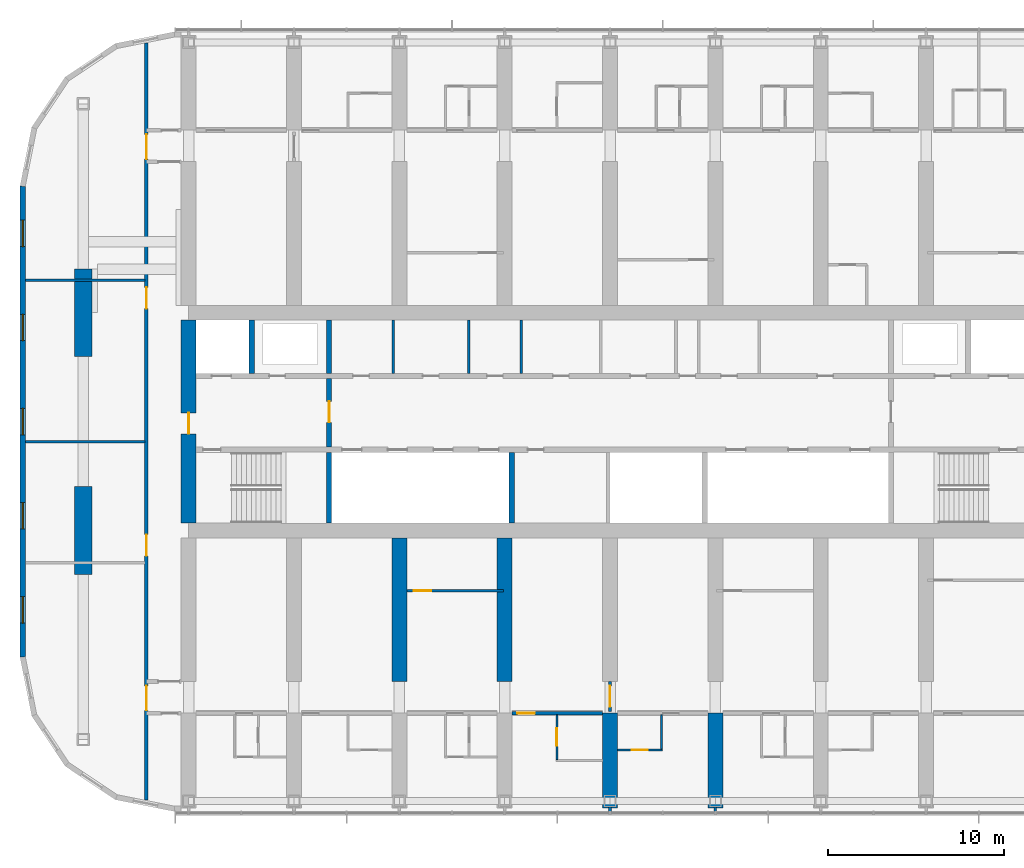
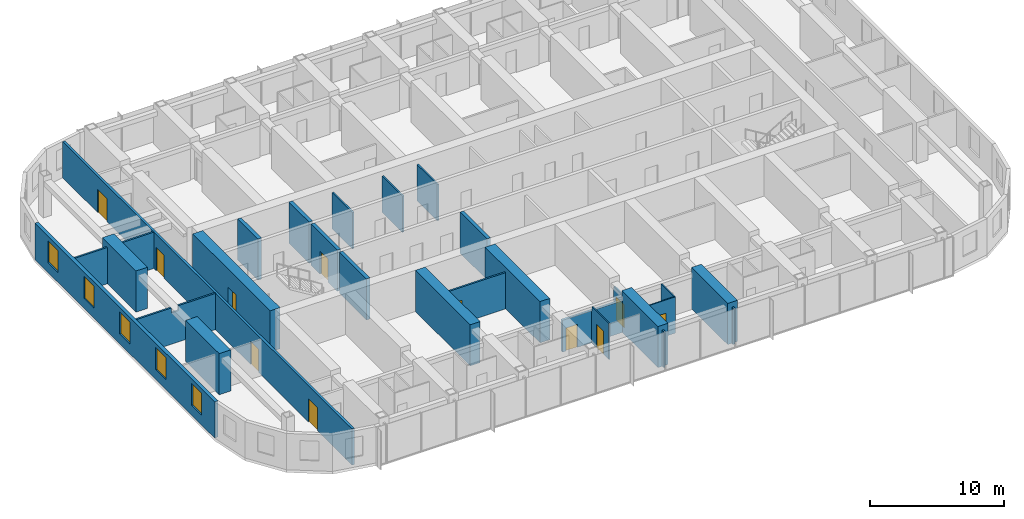
# One storey, part 11 of 22: 27 walls, 11 doors, 5 windows, 16 openings.
"""IFC4 building model written with IfcOpenShell, lengths in metres."""

from ifc_helpers import new_model, si_unit, direction, frame, frame_2d, origin, place, context, subcontext, project, spatial, polyline, rectangle, outline, extrude, material, layer, layer_set, type_object, element, fill, save


model = new_model("IFC4")

# Units and contexts
model_context = context("Model", 3, precision=1e-05, world=origin(), true_north=direction((0.0, 1.0)))
body_context = subcontext(model_context, "Body", "Model", "MODEL_VIEW")
ifc_project = project(units=[si_unit("LENGTHUNIT", "METRE"), si_unit("AREAUNIT", "SQUARE_METRE"), si_unit("VOLUMEUNIT", "CUBIC_METRE"), si_unit("PLANEANGLEUNIT", "RADIAN"), si_unit("MASSUNIT", "GRAM", prefix="KILO")], contexts=[model_context])

# Site, building, storey
site_placement = place(None, origin())
site = spatial("IfcSite", under=ifc_project, at=site_placement, CompositionType="ELEMENT")
building_placement = place(site_placement, origin())
building = spatial("IfcBuilding", under=site, at=building_placement, Name="Orbita Commons", CompositionType="ELEMENT")
storey_placement = place(building_placement, frame((0.0, 0.0, 159.85009765625)))
storey = spatial("IfcBuildingStorey", under=building, at=storey_placement, Name="L39", CompositionType="ELEMENT", Elevation=159.85009765625)

# Wall
ifc_material_1 = material(Name="Concrete C50/60", Category="concrete")
ifc_layer_1 = layer(ifc_material_1, 0.300048828125)
ifc_layer_set_1 = layer_set([ifc_layer_1], Name="Concrete C50/60")
wall_type_1 = type_object("IfcWallType", Name="Core inner wall 300 C50/60", PredefinedType="SHEAR", material=ifc_layer_set_1)
wall_1_placement = place(storey_placement, frame((26.0, 26.22509765625, 0.0), z_axis=(0.0, 0.0, 1.0), x_axis=(0.0, 1.0, 0.0)))
element("IfcWall", 1, at=wall_1_placement, inside=storey, type_object=wall_type_1, Name="Stair S1 wall L39", PredefinedType="SHEAR", context=body_context, shape_type="SweptSolid", body=[
    extrude(rectangle(XDim=4.02490234375, YDim=0.300048828125, at=frame_2d((2.012451171875, 0.0))), origin(), (0.0, 0.0, 1.0), 3.75),
])

# Wall, opening, door
wall_2_placement = place(storey_placement, frame((26.0, 30.550048828125, 0.0), z_axis=(0.0, 0.0, 1.0), x_axis=(0.0, 1.0, 0.0)))
wall_2 = element("IfcWall", 2, at=wall_2_placement, inside=storey, type_object=wall_type_1, Name="Firefighting lobby wall west L39", PredefinedType="SHEAR", context=body_context, shape_type="SweptSolid", body=[
    extrude(rectangle(XDim=3.89990234375, YDim=0.300048828125, at=frame_2d((1.949951171875, 0.0))), origin(), (0.0, 0.0, 1.0), 3.75),
])
opening_1_placement = place(wall_2_placement, frame((1.39990234375, 0.0, 0.0)))
opening_1 = element("IfcOpeningElement", 3, at=opening_1_placement, cuts=wall_2, Name="Opening D04", PredefinedType="OPENING", context=body_context, shape_type="SweptSolid", body=[
    extrude(rectangle(XDim=1.199951171875, YDim=2.10009765625, at=frame_2d((0.60009765625, 1.050048828125))), frame((0.0, 0.159912109375, 0.0), z_axis=(0.0, -1.0, 0.0), x_axis=(1.0, 0.0, 0.0)), (0.0, 0.0, 1.0), 0.320068359375),
])
ifc_material_2 = material(Name="Steel-faced fire door leaf", Category="steel")
door_type_1 = type_object("IfcDoorType", Name="Service door 20 min 1200x2100", OperationType="SINGLE_SWING_LEFT", PredefinedType="DOOR", material=ifc_material_2)
door_1_placement = place(opening_1_placement, origin())
door_1 = element("IfcDoor", 4, at=door_1_placement, inside=storey, type_object=door_type_1, Name="Lift lobby door west", OperationType="SINGLE_SWING_LEFT", OverallHeight=2.10009765625, OverallWidth=1.199951171875, PredefinedType="DOOR", context=body_context, shape_type="SweptSolid", body=[
    extrude(rectangle(XDim=1.199951171875, YDim=2.10009765625, at=frame_2d((0.60009765625, 1.050048828125))), frame((0.0, 0.02490234375, 0.0), z_axis=(0.0, -1.0, 0.0), x_axis=(1.0, 0.0, 0.0)), (0.0, 0.0, 1.0), 0.050048828125),
])
fill(opening_1, door_1)

# Walls
for number, where, z_axis, x_axis, name in (
    (5, (21.60009765625, 34.75, 0.0), (0.0, 0.0, 1.0), (0.0, 1.0, 0.0), "Firefighting lift FL1 shaft wall L39"),
    (6, (26.0, 34.75, 0.0), (0.0, 0.0, 1.0), (0.0, 1.0, 0.0), "Riser wall west L39"),
):
    element("IfcWall", number, at=place(storey_placement, frame(where, z_axis=z_axis, x_axis=x_axis)), inside=storey, type_object=wall_type_1, Name=name, PredefinedType="SHEAR", context=body_context, shape_type="SweptSolid", body=[
        extrude(rectangle(XDim=3.02490234375, YDim=0.300048828125, at=frame_2d((1.512451171875, 0.0))), origin(), (0.0, 0.0, 1.0), 3.75),
    ])
wall_3_placement = place(storey_placement, frame((36.39990234375, 26.22509765625, 0.0), z_axis=(0.0, 0.0, 1.0), x_axis=(0.0, 1.0, 0.0)))
element("IfcWall", 7, at=wall_3_placement, inside=storey, type_object=wall_type_1, Name="Hoistway division wall L39", PredefinedType="SHEAR", context=body_context, shape_type="SweptSolid", body=[
    extrude(rectangle(XDim=4.02490234375, YDim=0.300048828125, at=frame_2d((2.012451171875, 0.0))), origin(), (0.0, 0.0, 1.0), 3.75),
])
ifc_material_3 = material(Name="Concrete blockwork", Category="masonry")
ifc_layer_2 = layer(ifc_material_3, 0.14990234375)
ifc_layer_set_2 = layer_set([ifc_layer_2], Name="Concrete blockwork")
wall_type_2 = type_object("IfcWallType", Name="Core partition 150 blockwork", PredefinedType="SOLIDWALL", material=ifc_layer_set_2)
for number, where, z_axis, x_axis, name in (
    (8, (29.65087890625, 34.75, 0.0), (0.0, 0.0, 1.0), (0.0, 1.0, 0.0), "Core partition 150 blockwork L39"),
    (9, (33.9462890625, 34.75, 0.0), (0.0, 0.0, 1.0), (0.0, 1.0, 0.0), "Core partition 150 blockwork L39"),
    (10, (36.9462890625, 34.75, 0.0), (0.0, 0.0, 1.0), (0.0, 1.0, 0.0), "Core partition 150 blockwork L39"),
):
    element("IfcWall", number, at=place(storey_placement, frame(where, z_axis=z_axis, x_axis=x_axis)), inside=storey, type_object=wall_type_2, Name=name, PredefinedType="SOLIDWALL", context=body_context, shape_type="SweptSolid", body=[
        extrude(rectangle(XDim=3.02490234375, YDim=0.14990234375, at=frame_2d((1.512451171875, 0.0))), origin(), (0.0, 0.0, 1.0), 3.2998046875),
    ])

# Wall, opening, door
ifc_material_4 = material(Name="Concrete C50/60", Category="concrete")
ifc_layer_3 = layer(ifc_material_4, 0.85009765625)
ifc_layer_set_3 = layer_set([ifc_layer_3], Name="Concrete C50/60")
wall_type_3 = type_object("IfcWallType", Name="Core wall 850 C50/60", PredefinedType="SHEAR", material=ifc_layer_set_3)
wall_4_placement = place(storey_placement, frame((18.0, 26.22509765625, 0.0), z_axis=(0.0, 0.0, 1.0), x_axis=(0.0, 1.0, 0.0)))
wall_4 = element("IfcWall", 11, at=wall_4_placement, inside=storey, type_object=wall_type_3, Name="Core end wall west L39", PredefinedType="SHEAR", context=body_context, shape_type="SweptSolid", body=[
    extrude(rectangle(XDim=11.5498046875, YDim=0.85009765625, at=frame_2d((5.77490234375, 0.0))), origin(), (0.0, 0.0, 1.0), 3.75),
])
opening_2_placement = place(wall_4_placement, frame((5.074951171875, 0.0, 0.0)))
opening_2 = element("IfcOpeningElement", 12, at=opening_2_placement, cuts=wall_4, Name="Opening D01", PredefinedType="OPENING", context=body_context, shape_type="SweptSolid", body=[
    extrude(rectangle(XDim=1.199951171875, YDim=2.10009765625, at=frame_2d((0.60009765625, 1.050048828125))), frame((0.0, 0.43505859375, 0.0), z_axis=(0.0, -1.0, 0.0), x_axis=(1.0, 0.0, 0.0)), (0.0, 0.0, 1.0), 0.8701171875),
])
ifc_material_5 = material(Name="Steel-faced fire door leaf", Category="steel")
door_type_2 = type_object("IfcDoorType", Name="Fire door 90 min 1200x2100", OperationType="SINGLE_SWING_LEFT", PredefinedType="DOOR", material=ifc_material_5)
door_2_placement = place(opening_2_placement, origin())
door_2 = element("IfcDoor", 13, at=door_2_placement, inside=storey, type_object=door_type_2, Name="Firefighting lobby west door", OperationType="SINGLE_SWING_LEFT", OverallHeight=2.10009765625, OverallWidth=1.199951171875, PredefinedType="DOOR", context=body_context, shape_type="SweptSolid", body=[
    extrude(rectangle(XDim=1.199951171875, YDim=2.10009765625, at=frame_2d((0.60009765625, 1.050048828125))), frame((0.0, 0.02490234375, 0.0), z_axis=(0.0, -1.0, 0.0), x_axis=(1.0, 0.0, 0.0)), (0.0, 0.0, 1.0), 0.050048828125),
])
fill(opening_2, door_2)

ifc_material_6 = material(Name="Concrete blockwork", Category="masonry")
ifc_layer_4 = layer(ifc_material_6, 0.199951171875)
ifc_layer_set_4 = layer_set([ifc_layer_4], Name="Concrete blockwork")
wall_type_4 = type_object("IfcWallType", Name="Corridor wall 200 blockwork", PredefinedType="SOLIDWALL", material=ifc_layer_set_4)
wall_5_placement = place(storey_placement, frame((36.425048828125, 15.39990234375, 0.0), z_axis=(0.0, 0.0, 1.0), x_axis=(1.0, 0.0, 0.0)))
wall_5 = element("IfcWall", 14, at=wall_5_placement, inside=storey, type_object=wall_type_4, Name="Corridor wall 200 blockwork L39", PredefinedType="SOLIDWALL", context=body_context, shape_type="SweptSolid", body=[
    extrude(outline(polyline([(0.0, 0.0), (5.14990234375, 0.0), (5.14990234375, 2.89990234375), (0.0, 2.89990234375), (0.0, 0.0)])), frame((0.0, 0.10009765625, 0.0), z_axis=(0.0, -1.0, 0.0), x_axis=(1.0, 0.0, 0.0)), (0.0, 0.0, 1.0), 0.199951171875),
])
opening_3_placement = place(wall_5_placement, frame((0.300048828125, 0.0, 0.0)))
opening_3 = element("IfcOpeningElement", 15, at=opening_3_placement, cuts=wall_5, Name="Opening D06", PredefinedType="OPENING", context=body_context, shape_type="SweptSolid", body=[
    extrude(rectangle(XDim=1.0, YDim=2.10009765625, at=frame_2d((0.5, 1.050048828125))), frame((0.0, 0.10986328125, 0.0), z_axis=(0.0, -1.0, 0.0), x_axis=(1.0, 0.0, 0.0)), (0.0, 0.0, 1.0), 0.219970703125),
])
ifc_material_7 = material(Name="Steel-faced fire door leaf", Category="steel")
door_type_3 = type_object("IfcDoorType", Name="Corridor door 20 min 1000x2100", OperationType="SINGLE_SWING_LEFT", PredefinedType="DOOR", material=ifc_material_7)
door_3_placement = place(opening_3_placement, origin())
door_3 = element("IfcDoor", 16, at=door_3_placement, inside=storey, type_object=door_type_3, Name="Accessible bedroom L39-S06 door", OperationType="SINGLE_SWING_LEFT", OverallHeight=2.10009765625, OverallWidth=1.0, PredefinedType="DOOR", context=body_context, shape_type="SweptSolid", body=[
    extrude(rectangle(XDim=1.0, YDim=2.10009765625, at=frame_2d((0.5, 1.050048828125))), frame((0.0, 0.02490234375, 0.0), z_axis=(0.0, -1.0, 0.0), x_axis=(1.0, 0.0, 0.0)), (0.0, 0.0, 1.0), 0.050048828125),
])
fill(opening_3, door_3)

# Wall, openings, doors
wall_6_placement = place(storey_placement, frame((15.60009765625, 10.4462890625, 0.0), z_axis=(0.0, 0.0, 1.0), x_axis=(0.0, 1.0, 0.0)))
wall_6 = element("IfcWall", 17, at=wall_6_placement, inside=storey, type_object=wall_type_4, Name="Corridor wall 200 blockwork L39", PredefinedType="SOLIDWALL", context=body_context, shape_type="SweptSolid", body=[
    extrude(rectangle(XDim=43.107421875, YDim=0.199951171875, at=frame_2d((21.5537109375, 0.0))), origin(), (0.0, 0.0, 1.0), 3.2998046875),
])
opening_4_placement = place(wall_6_placement, frame((13.913818359375, 0.0, 0.0)))
opening_4 = element("IfcOpeningElement", 18, at=opening_4_placement, cuts=wall_6, Name="Opening D15", PredefinedType="OPENING", context=body_context, shape_type="SweptSolid", body=[
    extrude(rectangle(XDim=1.199951171875, YDim=2.10009765625, at=frame_2d((0.60009765625, 1.050048828125))), frame((0.0, 0.10986328125, 0.0), z_axis=(0.0, -1.0, 0.0), x_axis=(1.0, 0.0, 0.0)), (0.0, 0.0, 1.0), 0.219970703125),
])
opening_5_placement = place(wall_6_placement, frame((27.993896484375, 0.0, 0.0)))
opening_5 = element("IfcOpeningElement", 19, at=opening_5_placement, cuts=wall_6, Name="Opening D15", PredefinedType="OPENING", context=body_context, shape_type="SweptSolid", body=[
    extrude(rectangle(XDim=1.199951171875, YDim=2.10009765625, at=frame_2d((0.60009765625, 1.050048828125))), frame((0.0, 0.10986328125, 0.0), z_axis=(0.0, -1.0, 0.0), x_axis=(1.0, 0.0, 0.0)), (0.0, 0.0, 1.0), 0.219970703125),
])
opening_6_placement = place(wall_6_placement, frame((5.103759765625, 0.0, 0.0)))
opening_6 = element("IfcOpeningElement", 20, at=opening_6_placement, cuts=wall_6, Name="Opening D08", PredefinedType="OPENING", context=body_context, shape_type="SweptSolid", body=[
    extrude(rectangle(XDim=1.39990234375, YDim=2.10009765625, at=frame_2d((0.699951171875, 1.050048828125))), frame((0.0, 0.10986328125, 0.0), z_axis=(0.0, -1.0, 0.0), x_axis=(1.0, 0.0, 0.0)), (0.0, 0.0, 1.0), 0.219970703125),
])
opening_7_placement = place(wall_6_placement, frame((36.50390625, 0.0, 0.0)))
opening_7 = element("IfcOpeningElement", 21, at=opening_7_placement, cuts=wall_6, Name="Opening D08", PredefinedType="OPENING", context=body_context, shape_type="SweptSolid", body=[
    extrude(rectangle(XDim=1.39990234375, YDim=2.10009765625, at=frame_2d((0.699951171875, 1.050048828125))), frame((0.0, 0.10986328125, 0.0), z_axis=(0.0, -1.0, 0.0), x_axis=(1.0, 0.0, 0.0)), (0.0, 0.0, 1.0), 0.219970703125),
])
ifc_material_8 = material(Name="Steel-faced fire door leaf", Category="steel")
door_type_4 = type_object("IfcDoorType", Name="Corridor door 20 min 1200x2100", OperationType="SINGLE_SWING_LEFT", PredefinedType="DOOR", material=ifc_material_8)
door_4_placement = place(opening_4_placement, origin())
door_4 = element("IfcDoor", 22, at=door_4_placement, inside=storey, type_object=door_type_4, Name="Reading room door", OperationType="SINGLE_SWING_LEFT", OverallHeight=2.10009765625, OverallWidth=1.199951171875, PredefinedType="DOOR", context=body_context, shape_type="SweptSolid", body=[
    extrude(rectangle(XDim=1.199951171875, YDim=2.10009765625, at=frame_2d((0.60009765625, 1.050048828125))), frame((0.0, 0.02490234375, 0.0), z_axis=(0.0, -1.0, 0.0), x_axis=(1.0, 0.0, 0.0)), (0.0, 0.0, 1.0), 0.050048828125),
])
fill(opening_4, door_4)
door_5_placement = place(opening_5_placement, origin())
door_5 = element("IfcDoor", 23, at=door_5_placement, inside=storey, type_object=door_type_4, Name="Study hall door", OperationType="SINGLE_SWING_LEFT", OverallHeight=2.10009765625, OverallWidth=1.199951171875, PredefinedType="DOOR", context=body_context, shape_type="SweptSolid", body=[
    extrude(rectangle(XDim=1.199951171875, YDim=2.10009765625, at=frame_2d((0.60009765625, 1.050048828125))), frame((0.0, 0.02490234375, 0.0), z_axis=(0.0, -1.0, 0.0), x_axis=(1.0, 0.0, 0.0)), (0.0, 0.0, 1.0), 0.050048828125),
])
fill(opening_5, door_5)
ifc_material_9 = material(Name="Steel-faced fire door leaf", Category="steel")
door_type_5 = type_object("IfcDoorType", Name="Double corridor door 20 min 1400x2100", OperationType="DOUBLE_DOOR_SINGLE_SWING", PredefinedType="DOOR", material=ifc_material_9)
door_6_placement = place(opening_6_placement, origin())
door_6 = element("IfcDoor", 24, at=door_6_placement, inside=storey, type_object=door_type_5, Name="Lounge doors", OperationType="DOUBLE_DOOR_SINGLE_SWING", OverallHeight=2.10009765625, OverallWidth=1.39990234375, PredefinedType="DOOR", context=body_context, shape_type="SweptSolid", body=[
    extrude(rectangle(XDim=1.39990234375, YDim=2.10009765625, at=frame_2d((0.699951171875, 1.050048828125))), frame((0.0, 0.02490234375, 0.0), z_axis=(0.0, -1.0, 0.0), x_axis=(1.0, 0.0, 0.0)), (0.0, 0.0, 1.0), 0.050048828125),
])
fill(opening_6, door_6)
door_7_placement = place(opening_7_placement, origin())
door_7 = element("IfcDoor", 25, at=door_7_placement, inside=storey, type_object=door_type_5, Name="Lounge doors", OperationType="DOUBLE_DOOR_SINGLE_SWING", OverallHeight=2.10009765625, OverallWidth=1.39990234375, PredefinedType="DOOR", context=body_context, shape_type="SweptSolid", body=[
    extrude(rectangle(XDim=1.39990234375, YDim=2.10009765625, at=frame_2d((0.699951171875, 1.050048828125))), frame((0.0, 0.02490234375, 0.0), z_axis=(0.0, -1.0, 0.0), x_axis=(1.0, 0.0, 0.0)), (0.0, 0.0, 1.0), 0.050048828125),
])
fill(opening_7, door_7)

# Walls
ifc_material_10 = material(Name="Concrete C50/60", Category="concrete")
ifc_layer_5 = layer(ifc_material_10, 0.85009765625)
ifc_layer_set_5 = layer_set([ifc_layer_5], Name="Concrete C50/60")
wall_type_5 = type_object("IfcWallType", Name="Cross wall 850 C50/60", PredefinedType="SHEAR", material=ifc_layer_set_5)
for number, where, z_axis, x_axis, name in (
    (26, (30.0, 17.199951171875, 0.0), (0.0, 0.0, 1.0), (0.0, 1.0, 0.0), "Cross wall 6 south inner L39"),
    (27, (36.0, 17.199951171875, 0.0), (0.0, 0.0, 1.0), (0.0, 1.0, 0.0), "Cross wall 7 south inner L39"),
):
    element("IfcWall", number, at=place(storey_placement, frame(where, z_axis=z_axis, x_axis=x_axis)), inside=storey, type_object=wall_type_5, Name=name, PredefinedType="SHEAR", context=body_context, shape_type="SweptSolid", body=[
        extrude(rectangle(XDim=8.175048828125, YDim=0.85009765625, at=frame_2d((4.08740234375, 0.0))), origin(), (0.0, 0.0, 1.0), 3.75),
    ])
for number, where, z_axis, x_axis, name in (
    (28, (42.0, 10.0, 0.0), (0.0, 0.0, 1.0), (0.0, 1.0, 0.0), "Cross wall 8 south outer L39"),
    (29, (48.0, 10.0, 0.0), (0.0, 0.0, 1.0), (0.0, 1.0, 0.0), "Cross wall 9 south outer L39"),
):
    element("IfcWall", number, at=place(storey_placement, frame(where, z_axis=z_axis, x_axis=x_axis)), inside=storey, type_object=wall_type_5, Name=name, PredefinedType="SHEAR", context=body_context, shape_type="SweptSolid", body=[
        extrude(rectangle(XDim=5.39990234375, YDim=0.85009765625, at=frame_2d((2.699951171875, 0.0))), origin(), (0.0, 0.0, 1.0), 3.75),
    ])

# Wall, opening, door
ifc_material_11 = material(Name="Moisture-resistant plasterboard on steel studs", Category="steel")
ifc_layer_6 = layer(ifc_material_11, 0.10009765625)
ifc_layer_set_6 = layer_set([ifc_layer_6], Name="Moisture-resistant plasterboard on steel studs")
wall_type_6 = type_object("IfcWallType", Name="En-suite partition 100", PredefinedType="PARTITIONING", material=ifc_layer_set_6)
wall_7_placement = place(storey_placement, frame((38.97509765625, 12.75, 0.0), z_axis=(0.0, 0.0, 1.0), x_axis=(0.0, 1.0, 0.0)))
wall_7 = element("IfcWall", 30, at=wall_7_placement, inside=storey, type_object=wall_type_6, Name="En-suite partition 100 L39", PredefinedType="PARTITIONING", context=body_context, shape_type="SweptSolid", body=[
    extrude(outline(polyline([(0.0, 0.0), (2.550048828125, 0.0), (2.550048828125, 2.89990234375), (2.501953125, 2.89990234375), (2.5, 3.2998046875), (0.0, 3.2998046875), (0.0, 0.0)])), frame((0.0, 0.050048828125, 0.0), z_axis=(0.0, -1.0, 0.0), x_axis=(1.0, 0.0, 0.0)), (0.0, 0.0, 1.0), 0.10009765625),
])
opening_8_placement = place(wall_7_placement, frame((0.800048828125, 0.0, 0.0)))
opening_8 = element("IfcOpeningElement", 31, at=opening_8_placement, cuts=wall_7, Name="Opening D13", PredefinedType="OPENING", context=body_context, shape_type="SweptSolid", body=[
    extrude(rectangle(XDim=1.0, YDim=2.10009765625, at=frame_2d((0.5, 1.050048828125))), frame((0.0, 0.06005859375, 0.0), z_axis=(0.0, -1.0, 0.0), x_axis=(1.0, 0.0, 0.0)), (0.0, 0.0, 1.0), 0.1201171875),
])
ifc_material_12 = material(Name="Laminated timber door leaf", Category="wood")
door_type_6 = type_object("IfcDoorType", Name="En-suite door 1000x2100", OperationType="SINGLE_SWING_RIGHT", PredefinedType="DOOR", material=ifc_material_12)
door_8_placement = place(opening_8_placement, origin())
door_8 = element("IfcDoor", 32, at=door_8_placement, inside=storey, type_object=door_type_6, Name="Accessible shower room L39-S06 door", OperationType="SINGLE_SWING_RIGHT", OverallHeight=2.10009765625, OverallWidth=1.0, PredefinedType="DOOR", context=body_context, shape_type="SweptSolid", body=[
    extrude(rectangle(XDim=1.0, YDim=2.10009765625, at=frame_2d((0.5, 1.050048828125))), frame((0.0, 0.02490234375, 0.0), z_axis=(0.0, -1.0, 0.0), x_axis=(1.0, 0.0, 0.0)), (0.0, 0.0, 1.0), 0.050048828125),
])
fill(opening_8, door_8)

wall_8_placement = place(storey_placement, frame((44.97509765625, 13.300048828125, 0.0), z_axis=(0.0, 0.0, 1.0), x_axis=(-1.0, 0.0, 0.0)))
wall_8 = element("IfcWall", 33, at=wall_8_placement, inside=storey, type_object=wall_type_6, Name="En-suite partition 100 L39", PredefinedType="PARTITIONING", context=body_context, shape_type="SweptSolid", body=[
    extrude(rectangle(XDim=2.550048828125, YDim=0.10009765625, at=frame_2d((1.27490234375, 0.0))), origin(), (0.0, 0.0, 1.0), 3.2998046875),
])
opening_9_placement = place(wall_8_placement, frame((0.824951171875, 0.0, 0.0)))
opening_9 = element("IfcOpeningElement", 34, at=opening_9_placement, cuts=wall_8, Name="Opening D09", PredefinedType="OPENING", context=body_context, shape_type="SweptSolid", body=[
    extrude(rectangle(XDim=0.89990234375, YDim=2.10009765625, at=frame_2d((0.449951171875, 1.050048828125))), frame((0.0, 0.06005859375, 0.0), z_axis=(0.0, -1.0, 0.0), x_axis=(1.0, 0.0, 0.0)), (0.0, 0.0, 1.0), 0.1201171875),
])
ifc_material_13 = material(Name="Laminated timber door leaf", Category="wood")
door_type_7 = type_object("IfcDoorType", Name="En-suite door 900x2100", OperationType="SINGLE_SWING_RIGHT", PredefinedType="DOOR", material=ifc_material_13)
door_9_placement = place(opening_9_placement, origin())
door_9 = element("IfcDoor", 35, at=door_9_placement, inside=storey, type_object=door_type_7, Name="En-suite L39-S08 door", OperationType="SINGLE_SWING_RIGHT", OverallHeight=2.10009765625, OverallWidth=0.89990234375, PredefinedType="DOOR", context=body_context, shape_type="SweptSolid", body=[
    extrude(rectangle(XDim=0.89990234375, YDim=2.10009765625, at=frame_2d((0.449951171875, 1.050048828125))), frame((0.0, 0.02490234375, 0.0), z_axis=(0.0, -1.0, 0.0), x_axis=(1.0, 0.0, 0.0)), (0.0, 0.0, 1.0), 0.050048828125),
])
fill(opening_9, door_9)

# Walls
wall_9_placement = place(storey_placement, frame((44.925048828125, 13.35009765625, 0.0), z_axis=(0.0, 0.0, 1.0), x_axis=(0.0, 1.0, 0.0)))
element("IfcWall", 36, at=wall_9_placement, inside=storey, type_object=wall_type_6, Name="En-suite partition 100 L39", PredefinedType="PARTITIONING", context=body_context, shape_type="SweptSolid", body=[
    extrude(outline(polyline([(0.0, 0.0), (1.949951171875, 0.0), (1.949951171875, 2.89990234375), (1.902099609375, 2.89990234375), (1.89990234375, 3.2998046875), (0.0, 3.2998046875), (0.0, 0.0)])), frame((0.0, 0.050048828125, 0.0), z_axis=(0.0, -1.0, 0.0), x_axis=(1.0, 0.0, 0.0)), (0.0, 0.0, 1.0), 0.10009765625),
])
ifc_material_14 = material(Name="Concrete C50/60", Category="concrete")
ifc_layer_7 = layer(ifc_material_14, 1.0)
ifc_layer_set_7 = layer_set([ifc_layer_7], Name="Concrete C50/60")
wall_type_7 = type_object("IfcWallType", Name="End pier 1000x5000 C50/60", PredefinedType="SHEAR", material=ifc_layer_set_7)
for number, where, z_axis, x_axis, name in (
    (37, (12.0, 23.300048828125, 0.0), (0.0, 0.0, 1.0), (0.0, 1.0, 0.0), "End pier 3/C L39"),
    (38, (12.0, 35.699951171875, 0.0), (0.0, 0.0, 1.0), (0.0, 1.0, 0.0), "End pier 3/D L39"),
):
    element("IfcWall", number, at=place(storey_placement, frame(where, z_axis=z_axis, x_axis=x_axis)), inside=storey, type_object=wall_type_7, Name=name, PredefinedType="SHEAR", context=body_context, shape_type="SweptSolid", body=[
        extrude(rectangle(XDim=5.0, YDim=1.0, at=frame_2d((2.5, 0.0))), origin(), (0.0, 0.0, 1.0), 3.75),
    ])

# Wall, opening, door
ifc_material_15 = material(Name="Gypsum plasterboard on steel studs", Category="steel")
ifc_layer_8 = layer(ifc_material_15, 0.14990234375)
ifc_layer_set_8 = layer_set([ifc_layer_8], Name="Gypsum plasterboard on steel studs")
wall_type_8 = type_object("IfcWallType", Name="Partition 150 plasterboard", PredefinedType="PARTITIONING", material=ifc_layer_set_8)
wall_10_placement = place(storey_placement, frame((30.425048828125, 22.375, 0.0), z_axis=(0.0, 0.0, 1.0), x_axis=(1.0, 0.0, 0.0)))
wall_10 = element("IfcWall", 39, at=wall_10_placement, inside=storey, type_object=wall_type_8, Name="Partition 150 plasterboard L39", PredefinedType="PARTITIONING", context=body_context, shape_type="SweptSolid", body=[
    extrude(rectangle(XDim=5.5, YDim=0.14990234375, at=frame_2d((2.75, 0.0))), origin(), (0.0, 0.0, 1.0), 3.2998046875),
])
opening_10_placement = place(wall_10_placement, frame((0.39990234375, 0.0, 0.0)))
opening_10 = element("IfcOpeningElement", 40, at=opening_10_placement, cuts=wall_10, Name="Opening D17", PredefinedType="OPENING", context=body_context, shape_type="SweptSolid", body=[
    extrude(rectangle(XDim=1.0, YDim=2.10009765625, at=frame_2d((0.5, 1.050048828125))), frame((0.0, 0.0849609375, 0.0), z_axis=(0.0, -1.0, 0.0), x_axis=(1.0, 0.0, 0.0)), (0.0, 0.0, 1.0), 0.169921875),
])
ifc_material_16 = material(Name="Steel-faced fire door leaf", Category="steel")
door_type_8 = type_object("IfcDoorType", Name="Shaft access door 90 min 1000x2100", OperationType="SINGLE_SWING_LEFT", PredefinedType="DOOR", material=ifc_material_16)
door_10_placement = place(opening_10_placement, origin())
door_10 = element("IfcDoor", 41, at=door_10_placement, inside=storey, type_object=door_type_8, Name="Ventilation plant room south L39-BDS30 door", OperationType="SINGLE_SWING_LEFT", OverallHeight=2.10009765625, OverallWidth=1.0, PredefinedType="DOOR", context=body_context, shape_type="SweptSolid", body=[
    extrude(rectangle(XDim=1.0, YDim=2.10009765625, at=frame_2d((0.5, 1.050048828125))), frame((0.0, 0.02490234375, 0.0), z_axis=(0.0, -1.0, 0.0), x_axis=(1.0, 0.0, 0.0)), (0.0, 0.0, 1.0), 0.050048828125),
])
fill(opening_10, door_10)

wall_11_placement = place(storey_placement, frame((42.0, 15.5, 0.0), z_axis=(0.0, 0.0, 1.0), x_axis=(0.0, 1.0, 0.0)))
wall_11 = element("IfcWall", 42, at=wall_11_placement, inside=storey, type_object=wall_type_8, Name="Partition 150 plasterboard L39", PredefinedType="PARTITIONING", context=body_context, shape_type="SweptSolid", body=[
    extrude(outline(polyline([(0.0, 0.0), (1.699951171875, 0.0), (1.699951171875, 2.89990234375), (0.0, 2.89990234375), (0.0, 0.0)])), frame((0.0, 0.074951171875, 0.0), z_axis=(0.0, -1.0, 0.0), x_axis=(1.0, 0.0, 0.0)), (0.0, 0.0, 1.0), 0.14990234375),
])
opening_11_placement = place(wall_11_placement, frame((0.25, 0.0, 0.0)))
opening_11 = element("IfcOpeningElement", 43, at=opening_11_placement, cuts=wall_11, Name="Opening D12", PredefinedType="OPENING", context=body_context, shape_type="SweptSolid", body=[
    extrude(rectangle(XDim=1.199951171875, YDim=2.10009765625, at=frame_2d((0.60009765625, 1.050048828125))), frame((0.0, 0.0849609375, 0.0), z_axis=(0.0, -1.0, 0.0), x_axis=(1.0, 0.0, 0.0)), (0.0, 0.0, 1.0), 0.169921875),
])
ifc_material_17 = material(Name="Steel-faced fire door leaf", Category="steel")
door_type_9 = type_object("IfcDoorType", Name="Double corridor door 20 min 1200x2100", OperationType="DOUBLE_DOOR_SINGLE_SWING", PredefinedType="DOOR", material=ifc_material_17)
door_11_placement = place(opening_11_placement, origin())
door_11 = element("IfcDoor", 44, at=door_11_placement, inside=storey, type_object=door_type_9, Name="Social spine south screen doors", OperationType="DOUBLE_DOOR_SINGLE_SWING", OverallHeight=2.10009765625, OverallWidth=1.199951171875, PredefinedType="DOOR", context=body_context, shape_type="SweptSolid", body=[
    extrude(rectangle(XDim=1.199951171875, YDim=2.10009765625, at=frame_2d((0.60009765625, 1.050048828125))), frame((0.0, 0.02490234375, 0.0), z_axis=(0.0, -1.0, 0.0), x_axis=(1.0, 0.0, 0.0)), (0.0, 0.0, 1.0), 0.050048828125),
])
fill(opening_11, door_11)

# Walls
wall_12_placement = place(storey_placement, frame((8.705078125, 30.85009765625, 0.0), z_axis=(0.0, 0.0, 1.0), x_axis=(1.0, 0.0, 0.0)))
element("IfcWall", 45, at=wall_12_placement, inside=storey, type_object=wall_type_8, Name="Partition 150 plasterboard L39", PredefinedType="PARTITIONING", context=body_context, shape_type="SweptSolid", body=[
    extrude(outline(polyline([(0.0, 0.0), (6.81982421875, 0.0), (6.820068359375, 3.2998046875), (3.596923828125, 3.2998046875), (3.594970703125, 2.849853515625), (2.9970703125, 2.849853515625), (2.9951171875, 3.2998046875), (0.0, 3.2998046875), (0.0, 0.0)])), frame((0.0, 0.074951171875, 0.0), z_axis=(0.0, -1.0, 0.0), x_axis=(1.0, 0.0, 0.0)), (0.0, 0.0, 1.0), 0.14990234375),
])
wall_13_placement = place(storey_placement, frame((8.705078125, 40.0400390625, 0.0), z_axis=(0.0, 0.0, 1.0), x_axis=(1.0, 0.0, 0.0)))
element("IfcWall", 46, at=wall_13_placement, inside=storey, type_object=wall_type_8, Name="Partition 150 plasterboard L39", PredefinedType="PARTITIONING", context=body_context, shape_type="SweptSolid", body=[
    extrude(rectangle(XDim=6.81982421875, YDim=0.14990234375, at=frame_2d((3.409912109375, 0.0))), origin(), (0.0, 0.0, 1.0), 3.2998046875),
])
for number, where, z_axis, x_axis, name in (
    (47, (42.0, 10.050048828125, 0.0), (0.0, 0.0, 1.0), (0.0, -1.0, 0.0), "Partition 150 plasterboard L39"),
    (48, (48.0, 10.050048828125, 0.0), (0.0, 0.0, 1.0), (0.0, -1.0, 0.0), "Partition 150 plasterboard L39"),
):
    element("IfcWall", number, at=place(storey_placement, frame(where, z_axis=z_axis, x_axis=x_axis)), inside=storey, type_object=wall_type_8, Name=name, PredefinedType="PARTITIONING", context=body_context, shape_type="SweptSolid", body=[
        extrude(rectangle(XDim=0.239990234375, YDim=0.14990234375, at=frame_2d((0.1201171875, 0.0))), origin(), (0.0, 0.0, 1.0), 3.2998046875),
    ])

# Wall, openings, windows
ifc_material_18 = material(Name="Precast concrete C40/50, white board-marked finish", Category="concrete")
ifc_layer_9 = layer(ifc_material_18, 0.300048828125)
ifc_layer_set_9 = layer_set([ifc_layer_9], Name="Precast concrete C40/50, white board-marked finish")
wall_type_9 = type_object("IfcWallType", Name="Precast concrete end shield 300", PredefinedType="SOLIDWALL", material=ifc_layer_set_9)
wall_14_placement = place(storey_placement, frame((8.550048828125, 45.39990234375, 0.0), z_axis=(0.0, 0.0, 1.0), x_axis=(0.0, -1.0, 0.0)))
wall_14 = element("IfcWall", 49, at=wall_14_placement, inside=storey, type_object=wall_type_9, Name="End shield W L39", PredefinedType="SOLIDWALL", context=body_context, shape_type="SweptSolid", body=[
    extrude(outline(polyline([(-0.014892578125, -0.14990234375), (26.814697265625, -0.14990234375), (26.784912109375, 0.14990234375), (0.014892578125, 0.14990234375), (-0.014892578125, -0.14990234375)])), origin(), (0.0, 0.0, 1.0), 3.2998046875),
])
opening_12_placement = place(wall_14_placement, frame((1.929931640625, 0.0, 0.89990234375)))
opening_12 = element("IfcOpeningElement", 50, at=opening_12_placement, cuts=wall_14, Name="Opening W01", PredefinedType="OPENING", context=body_context, shape_type="SweptSolid", body=[
    extrude(rectangle(XDim=1.5, YDim=2.0, at=frame_2d((0.75, 1.0))), frame((0.0, 0.159912109375, 0.0), z_axis=(0.0, -1.0, 0.0), x_axis=(1.0, 0.0, 0.0)), (0.0, 0.0, 1.0), 0.320068359375),
])
opening_13_placement = place(wall_14_placement, frame((7.2900390625, 0.0, 0.89990234375)))
opening_13 = element("IfcOpeningElement", 51, at=opening_13_placement, cuts=wall_14, Name="Opening W01", PredefinedType="OPENING", context=body_context, shape_type="SweptSolid", body=[
    extrude(rectangle(XDim=1.5, YDim=2.0, at=frame_2d((0.75, 1.0))), frame((0.0, 0.159912109375, 0.0), z_axis=(0.0, -1.0, 0.0), x_axis=(1.0, 0.0, 0.0)), (0.0, 0.0, 1.0), 0.320068359375),
])
opening_14_placement = place(wall_14_placement, frame((12.64990234375, 0.0, 0.89990234375)))
opening_14 = element("IfcOpeningElement", 52, at=opening_14_placement, cuts=wall_14, Name="Opening W01", PredefinedType="OPENING", context=body_context, shape_type="SweptSolid", body=[
    extrude(rectangle(XDim=1.5, YDim=2.0, at=frame_2d((0.75, 1.0))), frame((0.0, 0.159912109375, 0.0), z_axis=(0.0, -1.0, 0.0), x_axis=(1.0, 0.0, 0.0)), (0.0, 0.0, 1.0), 0.320068359375),
])
opening_15_placement = place(wall_14_placement, frame((18.010009765625, 0.0, 0.89990234375)))
opening_15 = element("IfcOpeningElement", 53, at=opening_15_placement, cuts=wall_14, Name="Opening W01", PredefinedType="OPENING", context=body_context, shape_type="SweptSolid", body=[
    extrude(rectangle(XDim=1.5, YDim=2.0, at=frame_2d((0.75, 1.0))), frame((0.0, 0.159912109375, 0.0), z_axis=(0.0, -1.0, 0.0), x_axis=(1.0, 0.0, 0.0)), (0.0, 0.0, 1.0), 0.320068359375),
])
opening_16_placement = place(wall_14_placement, frame((23.3701171875, 0.0, 0.89990234375)))
opening_16 = element("IfcOpeningElement", 54, at=opening_16_placement, cuts=wall_14, Name="Opening W01", PredefinedType="OPENING", context=body_context, shape_type="SweptSolid", body=[
    extrude(rectangle(XDim=1.5, YDim=2.0, at=frame_2d((0.75, 1.0))), frame((0.0, 0.159912109375, 0.0), z_axis=(0.0, -1.0, 0.0), x_axis=(1.0, 0.0, 0.0)), (0.0, 0.0, 1.0), 0.320068359375),
])
ifc_material_19 = material(Name="Aluminium frame, clear double glazing", Category="aluminium")
window_type = type_object("IfcWindowType", Name="Deep-set window 1500x2000", PartitioningType="SINGLE_PANEL", PredefinedType="WINDOW", material=ifc_material_19)
window_1_placement = place(opening_12_placement, origin())
window_1 = element("IfcWindow", 55, at=window_1_placement, inside=storey, type_object=window_type, Name="Window L39-W 1", OverallHeight=2.0, OverallWidth=1.5, PartitioningType="SINGLE_PANEL", PredefinedType="WINDOW", context=body_context, shape_type="SweptSolid", body=[
    extrude(rectangle(XDim=1.5, YDim=2.0, at=frame_2d((0.75, 1.0))), frame((0.0, 0.030029296875, 0.0), z_axis=(0.0, -1.0, 0.0), x_axis=(1.0, 0.0, 0.0)), (0.0, 0.0, 1.0), 0.06005859375),
])
fill(opening_12, window_1)
window_2_placement = place(opening_13_placement, origin())
window_2 = element("IfcWindow", 56, at=window_2_placement, inside=storey, type_object=window_type, Name="Window L39-W 2", OverallHeight=2.0, OverallWidth=1.5, PartitioningType="SINGLE_PANEL", PredefinedType="WINDOW", context=body_context, shape_type="SweptSolid", body=[
    extrude(rectangle(XDim=1.5, YDim=2.0, at=frame_2d((0.75, 1.0))), frame((0.0, 0.030029296875, 0.0), z_axis=(0.0, -1.0, 0.0), x_axis=(1.0, 0.0, 0.0)), (0.0, 0.0, 1.0), 0.06005859375),
])
fill(opening_13, window_2)
window_3_placement = place(opening_14_placement, origin())
window_3 = element("IfcWindow", 57, at=window_3_placement, inside=storey, type_object=window_type, Name="Window L39-W 3", OverallHeight=2.0, OverallWidth=1.5, PartitioningType="SINGLE_PANEL", PredefinedType="WINDOW", context=body_context, shape_type="SweptSolid", body=[
    extrude(rectangle(XDim=1.5, YDim=2.0, at=frame_2d((0.75, 1.0))), frame((0.0, 0.030029296875, 0.0), z_axis=(0.0, -1.0, 0.0), x_axis=(1.0, 0.0, 0.0)), (0.0, 0.0, 1.0), 0.06005859375),
])
fill(opening_14, window_3)
window_4_placement = place(opening_15_placement, origin())
window_4 = element("IfcWindow", 58, at=window_4_placement, inside=storey, type_object=window_type, Name="Window L39-W 4", OverallHeight=2.0, OverallWidth=1.5, PartitioningType="SINGLE_PANEL", PredefinedType="WINDOW", context=body_context, shape_type="SweptSolid", body=[
    extrude(rectangle(XDim=1.5, YDim=2.0, at=frame_2d((0.75, 1.0))), frame((0.0, 0.030029296875, 0.0), z_axis=(0.0, -1.0, 0.0), x_axis=(1.0, 0.0, 0.0)), (0.0, 0.0, 1.0), 0.06005859375),
])
fill(opening_15, window_4)
window_5_placement = place(opening_16_placement, origin())
window_5 = element("IfcWindow", 59, at=window_5_placement, inside=storey, type_object=window_type, Name="Window L39-W 5", OverallHeight=2.0, OverallWidth=1.5, PartitioningType="SINGLE_PANEL", PredefinedType="WINDOW", context=body_context, shape_type="SweptSolid", body=[
    extrude(rectangle(XDim=1.5, YDim=2.0, at=frame_2d((0.75, 1.0))), frame((0.0, 0.030029296875, 0.0), z_axis=(0.0, -1.0, 0.0), x_axis=(1.0, 0.0, 0.0)), (0.0, 0.0, 1.0), 0.06005859375),
])
fill(opening_16, window_5)

save(model, "model.ifc")
